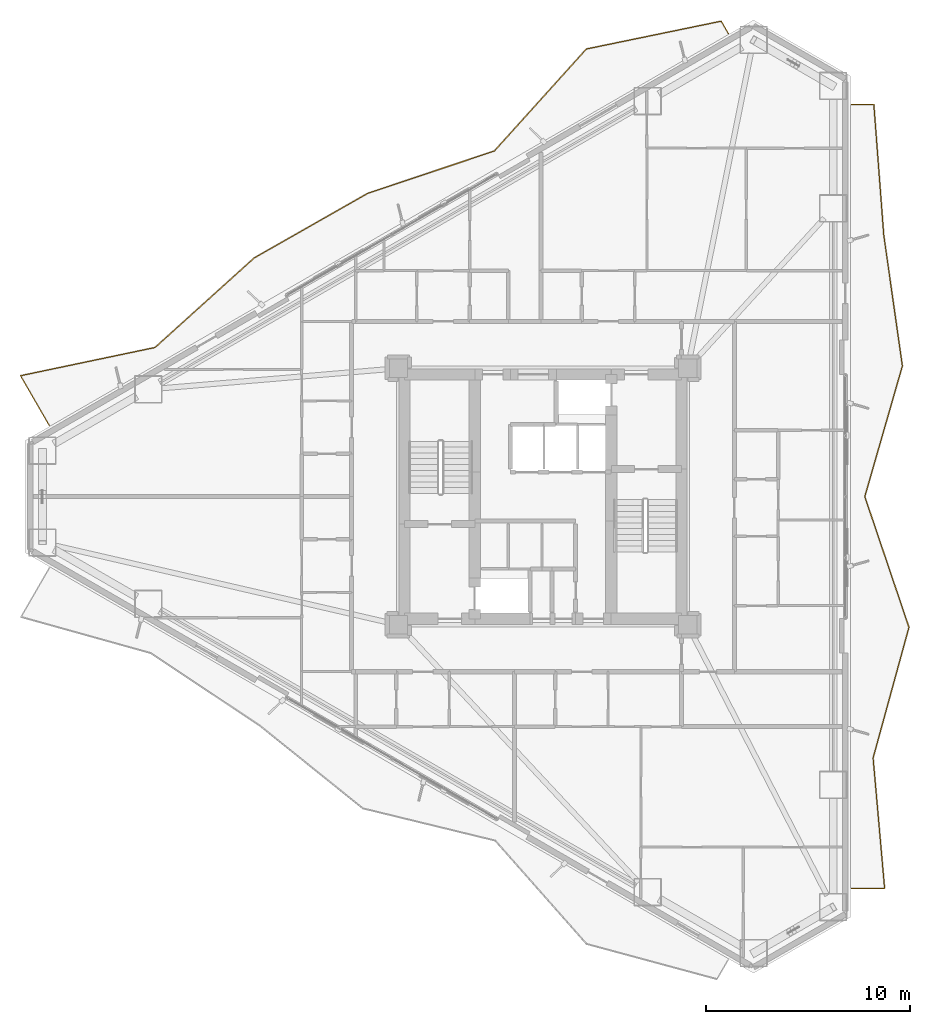
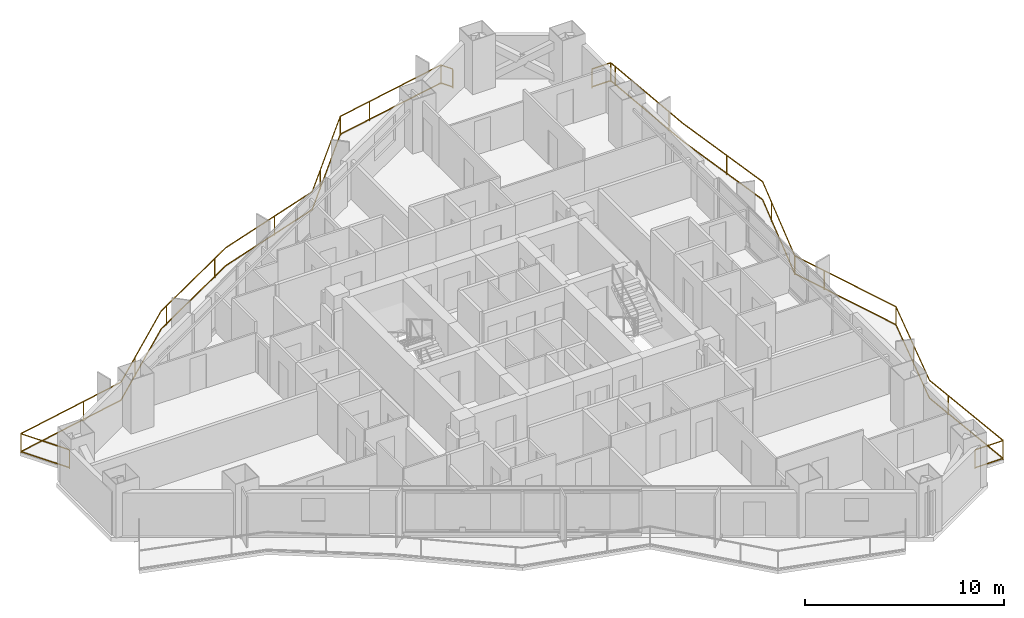
# One storey, part 18 of 18: 2 railings.
"""IFC4 building model written with IfcOpenShell, lengths in metres."""

import ifcopenshell
import ifcopenshell.guid

model = None  # the IFC model being written
_history = None  # IfcOwnerHistory: only IFC2X3 demands one
_inside = {}  # id of a spatial element -> (the spatial element, [elements in it])
_under = {}  # id of a project, library or spatial element -> (it, [spatial elements below it])
_declared = {}  # id of a project -> (the project, [libraries it declares])
_typed = {}  # id of a type object -> (the type object, [elements of that type])
_made_of = {}  # id of a material, layer set ... -> (it, [elements and type objects made of it])


def new_model(schema):
    """Start an empty IFC model of exactly this schema.

    Asked for "IFC4X3", IfcOpenShell would pick the latest addendum, in which some entities
    have other attributes; the version numbers below select the first issue.
    IFC2X3 requires an IfcOwnerHistory on every rooted entity: one is made here for all.
    """
    global model, _history
    if schema == "IFC4X3":
        model = ifcopenshell.file(schema_version=(4, 3, 0, 0))
    else:
        model = ifcopenshell.file(schema=schema)
    _inside.clear()
    _under.clear()
    _declared.clear()
    _typed.clear()
    _made_of.clear()
    _history = None
    if model.schema == "IFC2X3":
        org = make("IfcOrganization", Name="unknown")
        user = make(
            "IfcPersonAndOrganization",
            ThePerson=make("IfcPerson", FamilyName="unknown"),
            TheOrganization=org,
        )
        app = make(
            "IfcApplication",
            ApplicationDeveloper=org,
            Version="unknown",
            ApplicationFullName="unknown",
            ApplicationIdentifier="unknown",
        )
        _history = make(
            "IfcOwnerHistory",
            OwningUser=user,
            OwningApplication=app,
            ChangeAction="ADDED",
            CreationDate=0,
        )
    return model


def make(cls, **values):
    """One entity of the class cls with the attributes given. An attribute that is None is left unset."""
    return model.create_entity(
        cls, **{name: value for name, value in values.items() if value is not None}
    )


def rooted(cls, **values):
    """An entity with a GlobalId (a new one), such as an element, a storey or a relation."""
    return make(cls, GlobalId=ifcopenshell.guid.new(), OwnerHistory=_history, **values)


def si_unit(unit_type, name, prefix=None):
    """IfcSIUnit, for example si_unit("LENGTHUNIT", "METRE", prefix="MILLI")."""
    return make("IfcSIUnit", UnitType=unit_type, Prefix=prefix, Name=name)


def assignment(units):
    """IfcUnitAssignment: the units of a project."""
    return None if units is None else make("IfcUnitAssignment", Units=units)


def point(xyz):
    """IfcCartesianPoint."""
    return None if xyz is None else make("IfcCartesianPoint", Coordinates=xyz)


def direction(xyz):
    """IfcDirection."""
    return None if xyz is None else make("IfcDirection", DirectionRatios=xyz)


def frame(location, z_axis=None, x_axis=None):
    """IfcAxis2Placement3D, a coordinate frame: its origin and axes. An axis left out is left unset."""
    return make(
        "IfcAxis2Placement3D",
        Location=point(location),
        Axis=direction(z_axis),
        RefDirection=direction(x_axis),
    )


def frame_2d(location, x_axis=None):
    """IfcAxis2Placement2D, a coordinate frame in the plane: its origin and x axis."""
    return make(
        "IfcAxis2Placement2D", Location=point(location), RefDirection=direction(x_axis)
    )


def origin():
    """The frame at (0, 0, 0) with its axes left unset."""
    return frame((0.0, 0.0, 0.0))


def origin_2d():
    """The frame at (0, 0) in the plane with its x axis left unset."""
    return frame_2d((0.0, 0.0))


def place(relative_to, where):
    """IfcLocalPlacement: puts the frame where relative to a parent placement (None: the world)."""
    return make(
        "IfcLocalPlacement", PlacementRelTo=relative_to, RelativePlacement=where
    )


def context(
    kind, dimensions, precision=None, world=None, true_north=None, identifier=None
):
    """IfcGeometricRepresentationContext, for example the 3D "Model" context."""
    return make(
        "IfcGeometricRepresentationContext",
        ContextIdentifier=identifier,
        ContextType=kind,
        CoordinateSpaceDimension=dimensions,
        Precision=precision,
        WorldCoordinateSystem=world,
        TrueNorth=true_north,
    )


def subcontext(parent, identifier, kind, view, scale=None):
    """IfcGeometricRepresentationSubContext, for example "Body" below "Model"."""
    return make(
        "IfcGeometricRepresentationSubContext",
        ContextIdentifier=identifier,
        ContextType=kind,
        ParentContext=parent,
        TargetScale=scale,
        TargetView=view,
    )


def project(units=None, contexts=None):
    """IfcProject with its units and contexts."""
    return rooted(
        "IfcProject",
        Name="project",
        RepresentationContexts=contexts,
        UnitsInContext=assignment(units),
    )


def spatial(cls, under=None, at=None, **own):
    """A site, building, storey or space (cls), placed at a placement, below another one or the project."""
    s = rooted(cls, ObjectPlacement=at, **own)
    if under is not None:
        _under.setdefault(under.id(), (under, []))[1].append(s)
    return s


def profile(cls, at=None, kind="AREA", **sizes):
    """A parametric profile (cls). Its sizes go by their IFC names, for example OverallWidth=200.0."""
    return make(cls, ProfileType=kind, Position=at, **sizes)


def rectangle(**sizes):
    """IfcRectangleProfileDef."""
    return profile("IfcRectangleProfileDef", **sizes)


def extrude(swept, where, along, depth):
    """IfcExtrudedAreaSolid: the profile swept, set in the frame where, extruded along a direction by depth."""
    return make(
        "IfcExtrudedAreaSolid",
        SweptArea=swept,
        Position=where,
        ExtrudedDirection=direction(along),
        Depth=depth,
    )


def shape(context_of_items, identifier, shape_type, items):
    """IfcShapeRepresentation: the items that make up one representation, for example the "Body"."""
    return make(
        "IfcShapeRepresentation",
        ContextOfItems=context_of_items,
        RepresentationIdentifier=identifier,
        RepresentationType=shape_type,
        Items=items,
    )


def material(Name=None, Category=None):
    """IfcMaterial."""
    return make("IfcMaterial", Name=Name, Category=Category)


def made_of(thing, what):
    """Note that an element or type object is made of a material, layer set ...; save() writes the relation."""
    if what is not None:
        _made_of.setdefault(what.id(), (what, []))[1].append(thing)
    return thing


def type_object(cls, material=None, **own):
    """A type object (cls), such as IfcWallType, which elements share."""
    return made_of(rooted(cls, **own), material)


def element(
    cls,
    number,
    at=None,
    inside=None,
    cuts=None,
    type_object=None,
    material=None,
    context=None,
    identifier="Body",
    shape_type=None,
    held_by="IfcProductDefinitionShape",
    body=None,
    shapes=None,
    **own,
):
    """One element of the class cls, such as IfcWall. Its Tag is "e" and its number.

    at: its placement. inside: the storey or other place that contains it. cuts: it is an
    opening in that element (IfcRelVoidsElement). A single representation is given by context,
    identifier, shape_type and body (its items); several are given by shapes. held_by: the class
    of the entity that holds the representations. save() writes the other relations.
    """
    e = rooted(cls, Tag="e%d" % number, ObjectPlacement=at, **own)
    if body is not None:
        shapes = [shape(context, identifier, shape_type, body)]
    if shapes is not None:
        e.Representation = make(held_by, Representations=shapes)
    if inside is not None:
        _inside.setdefault(inside.id(), (inside, []))[1].append(e)
    if cuts is not None:
        rooted(
            "IfcRelVoidsElement", RelatingBuildingElement=cuts, RelatedOpeningElement=e
        )
    if type_object is not None:
        _typed.setdefault(type_object.id(), (type_object, []))[1].append(e)
    return made_of(e, material)


def aggregate(whole, parts):
    """IfcRelAggregates: a whole, such as a stair, and the parts it consists of."""
    return rooted("IfcRelAggregates", RelatingObject=whole, RelatedObjects=parts)


def save(model, path):
    """Write the relations noted so far, then the file.

    IfcRelAggregates (storeys below a building ...), IfcRelContainedInSpatialStructure (elements
    in a storey), IfcRelDefinesByType, IfcRelAssociatesMaterial and IfcRelDeclares: one each for
    every whole, place, type object, material and project.
    """
    for whole, parts in _under.values():
        aggregate(whole, parts)
    for where, things in _inside.values():
        rooted(
            "IfcRelContainedInSpatialStructure",
            RelatedElements=things,
            RelatingStructure=where,
        )
    for kind, things in _typed.values():
        rooted("IfcRelDefinesByType", RelatedObjects=things, RelatingType=kind)
    for what, things in _made_of.values():
        rooted("IfcRelAssociatesMaterial", RelatedObjects=things, RelatingMaterial=what)
    for by, libraries in _declared.values():
        rooted("IfcRelDeclares", RelatingContext=by, RelatedDefinitions=libraries)
    model.write(path)


model = new_model("IFC4")

# Units and contexts
model_context = context("Model", 3, precision=1e-05, world=origin(), true_north=direction((0.0, 1.0)))
body_context = subcontext(model_context, "Body", "Model", "MODEL_VIEW")
ifc_project = project(units=[si_unit("LENGTHUNIT", "METRE"), si_unit("AREAUNIT", "SQUARE_METRE"), si_unit("VOLUMEUNIT", "CUBIC_METRE"), si_unit("PLANEANGLEUNIT", "RADIAN"), si_unit("MASSUNIT", "GRAM", prefix="KILO")], contexts=[model_context])

# Site, building, storey
site_placement = place(None, origin())
site = spatial("IfcSite", under=ifc_project, at=site_placement, CompositionType="ELEMENT")
building_placement = place(site_placement, origin())
building = spatial("IfcBuilding", under=site, at=building_placement, Name="Mersakhor Tower and Convention Hall", CompositionType="ELEMENT")
storey_placement = place(building_placement, frame((0.0, 0.0, 39.0)))
storey = spatial("IfcBuildingStorey", under=building, at=storey_placement, Name="L10", CompositionType="ELEMENT", Elevation=39.0)

# Railings
ifc_material = material(Name="Powder-coated galvanised steel and laminated glass balustrade", Category="steel")
railing_type = type_object("IfcRailingType", Name="RL-BAL-1200", PredefinedType="BALUSTRADE", material=ifc_material)
railing_1_placement = place(storey_placement, frame((38.099609375, 49.497314453125, 0.0)))
element("IfcRailing", 1, at=railing_1_placement, inside=storey, type_object=railing_type, Name="L10 Sinusoidal Balcony Balustrade F1", PredefinedType="BALUSTRADE", context=body_context, shape_type="SweptSolid", body=[
    extrude(rectangle(XDim=0.048095703125, YDim=0.048095703125, at=origin_2d()), frame((0.0, 0.0, 1.17578125), z_axis=(-0.50004828531, 0.865997524453, 0.0), x_axis=(-0.865997524453, -0.50004828531, 0.0)), (0.0, 0.0, 1.0), 0.69189453125),
    extrude(rectangle(XDim=0.048095703125, YDim=0.048095703125, at=origin_2d()), frame((0.0, 0.0, 0.080078125), z_axis=(-0.50004828531, 0.865997524453, 0.0), x_axis=(-0.865997524453, -0.50004828531, 0.0)), (0.0, 0.0, 1.0), 0.69189453125),
    extrude(rectangle(XDim=0.048095703125, YDim=0.048095703125, at=origin_2d()), frame((-0.345947265625, 0.59912109375, 1.17578125), z_axis=(-0.979382516671, -0.202014568877, 0.0), x_axis=(0.202014568877, -0.979382516671, 0.0)), (0.0, 0.0, 1.0), 6.76171875),
    extrude(rectangle(XDim=0.048095703125, YDim=0.048095703125, at=origin_2d()), frame((-0.345947265625, 0.59912109375, 0.080078125), z_axis=(-0.979382516671, -0.202014568877, 0.0), x_axis=(0.202014568877, -0.979382516671, 0.0)), (0.0, 0.0, 1.0), 6.76171875),
    extrude(rectangle(XDim=0.048095703125, YDim=0.048095703125, at=origin_2d()), frame((-6.96826171875, -0.766845703125, 1.17578125), z_axis=(-0.669857975839, -0.742489253932, 0.0), x_axis=(0.742489253932, -0.669857975839, 0.0)), (0.0, 0.0, 1.0), 6.746337890625),
    extrude(rectangle(XDim=0.048095703125, YDim=0.048095703125, at=origin_2d()), frame((-6.96826171875, -0.766845703125, 0.080078125), z_axis=(-0.669857975839, -0.742489253932, 0.0), x_axis=(0.742489253932, -0.669857975839, 0.0)), (0.0, 0.0, 1.0), 6.746337890625),
    extrude(rectangle(XDim=0.048095703125, YDim=0.048095703125, at=origin_2d()), frame((-11.4873046875, -5.77587890625, 1.17578125), z_axis=(-0.948418315215, -0.317021607094, 0.0), x_axis=(0.317021607094, -0.948418315215, 0.0)), (0.0, 0.0, 1.0), 6.5498046875),
    extrude(rectangle(XDim=0.048095703125, YDim=0.048095703125, at=origin_2d()), frame((-11.4873046875, -5.77587890625, 0.080078125), z_axis=(-0.948418315215, -0.317021607094, 0.0), x_axis=(0.317021607094, -0.948418315215, 0.0)), (0.0, 0.0, 1.0), 6.5498046875),
    extrude(rectangle(XDim=0.048095703125, YDim=0.048095703125, at=origin_2d()), frame((-17.69921875, -7.852294921875, 1.17578125), z_axis=(-0.869194275354, -0.494470738964, 0.0), x_axis=(0.494470738964, -0.869194275354, 0.0)), (0.0, 0.0, 1.0), 6.418212890625),
    extrude(rectangle(XDim=0.048095703125, YDim=0.048095703125, at=origin_2d()), frame((-17.69921875, -7.852294921875, 0.080078125), z_axis=(-0.869194275354, -0.494470738964, 0.0), x_axis=(0.494470738964, -0.869194275354, 0.0)), (0.0, 0.0, 1.0), 6.418212890625),
    extrude(rectangle(XDim=0.048095703125, YDim=0.048095703125, at=origin_2d()), frame((-23.27783203125, -11.02587890625, 1.17578125), z_axis=(-0.742161132461, -0.670221495824, 0.0), x_axis=(0.670221495824, -0.742161132461, 0.0)), (0.0, 0.0, 1.0), 6.5634765625),
    extrude(rectangle(XDim=0.048095703125, YDim=0.048095703125, at=origin_2d()), frame((-23.27783203125, -11.02587890625, 0.080078125), z_axis=(-0.742161132461, -0.670221495824, 0.0), x_axis=(0.670221495824, -0.742161132461, 0.0)), (0.0, 0.0, 1.0), 6.5634765625),
    extrude(rectangle(XDim=0.048095703125, YDim=0.048095703125, at=origin_2d()), frame((-28.14892578125, -15.4248046875, 1.17578125), z_axis=(-0.978688016764, -0.205352783868, 0.0), x_axis=(0.205352783868, -0.978688016764, 0.0)), (0.0, 0.0, 1.0), 6.754150390625),
    extrude(rectangle(XDim=0.048095703125, YDim=0.048095703125, at=origin_2d()), frame((-28.14892578125, -15.4248046875, 0.080078125), z_axis=(-0.978688016764, -0.205352783868, 0.0), x_axis=(0.205352783868, -0.978688016764, 0.0)), (0.0, 0.0, 1.0), 6.754150390625),
    extrude(rectangle(XDim=0.048095703125, YDim=0.048095703125, at=origin_2d()), frame((-34.759033203125, -16.811767578125, 1.17578125), z_axis=(0.499984757355, -0.866034203951, 0.0), x_axis=(0.866034203951, 0.499984757355, 0.0)), (0.0, 0.0, 1.0), 2.81982421875),
    extrude(rectangle(XDim=0.048095703125, YDim=0.048095703125, at=origin_2d()), frame((-34.759033203125, -16.811767578125, 0.080078125), z_axis=(0.499984757355, -0.866034203951, 0.0), x_axis=(0.866034203951, 0.499984757355, 0.0)), (0.0, 0.0, 1.0), 2.81982421875),
    extrude(rectangle(XDim=0.0419921875, YDim=0.0419921875, at=origin_2d()), origin(), (0.0, 0.0, 1.0), 1.15185546875),
    extrude(rectangle(XDim=0.0419921875, YDim=0.0419921875, at=origin_2d()), frame((-0.345947265625, 0.59912109375, 0.0)), (0.0, 0.0, 1.0), 1.15185546875),
    extrude(rectangle(XDim=0.0419921875, YDim=0.0419921875, at=origin_2d()), frame((-5.046875, -0.37060546875, 0.0)), (0.0, 0.0, 1.0), 1.15185546875),
    extrude(rectangle(XDim=0.0419921875, YDim=0.0419921875, at=origin_2d()), frame((-6.96826171875, -0.766845703125, 0.0)), (0.0, 0.0, 1.0), 1.15185546875),
    extrude(rectangle(XDim=0.0419921875, YDim=0.0419921875, at=origin_2d()), frame((-10.18359375, -4.330810546875, 0.0)), (0.0, 0.0, 1.0), 1.15185546875),
    extrude(rectangle(XDim=0.0419921875, YDim=0.0419921875, at=origin_2d()), frame((-14.19384765625, -6.6806640625, 0.0)), (0.0, 0.0, 1.0), 1.15185546875),
    extrude(rectangle(XDim=0.0419921875, YDim=0.0419921875, at=origin_2d()), frame((-18.65869140625, -8.398193359375, 0.0)), (0.0, 0.0, 1.0), 1.15185546875),
    extrude(rectangle(XDim=0.0419921875, YDim=0.0419921875, at=origin_2d()), frame((-22.830810546875, -10.771728515625, 0.0)), (0.0, 0.0, 1.0), 1.15185546875),
    extrude(rectangle(XDim=0.0419921875, YDim=0.0419921875, at=origin_2d()), frame((-26.45849609375, -13.8984375, 0.0)), (0.0, 0.0, 1.0), 1.15185546875),
    extrude(rectangle(XDim=0.0419921875, YDim=0.0419921875, at=origin_2d()), frame((-30.61767578125, -15.94287109375, 0.0)), (0.0, 0.0, 1.0), 1.15185546875),
    extrude(rectangle(XDim=0.0419921875, YDim=0.0419921875, at=origin_2d()), frame((-34.759033203125, -16.811767578125, 0.0)), (0.0, 0.0, 1.0), 1.15185546875),
    extrude(rectangle(XDim=0.0419921875, YDim=0.0419921875, at=origin_2d()), frame((-33.34912109375, -19.25390625, 0.0)), (0.0, 0.0, 1.0), 1.15185546875),
])
railing_2_placement = place(storey_placement, frame((44.14990234375, 7.49609375, 0.0)))
element("IfcRailing", 2, at=railing_2_placement, inside=storey, type_object=railing_type, Name="L10 Sinusoidal Balcony Balustrade F2", PredefinedType="BALUSTRADE", context=body_context, shape_type="SweptSolid", body=[
    extrude(rectangle(XDim=0.048095703125, YDim=0.048095703125, at=origin_2d()), frame((0.0, 0.0, 1.17578125), z_axis=(1.0, 0.0, 0.0), x_axis=(0.0, 1.0, 0.0)), (0.0, 0.0, 1.0), 1.624755859375),
    extrude(rectangle(XDim=0.048095703125, YDim=0.048095703125, at=origin_2d()), frame((0.0, 0.0, 0.080078125), z_axis=(1.0, 0.0, 0.0), x_axis=(0.0, 1.0, 0.0)), (0.0, 0.0, 1.0), 1.624755859375),
    extrude(rectangle(XDim=0.048095703125, YDim=0.048095703125, at=origin_2d()), frame((1.624755859375, 0.0, 1.17578125), z_axis=(-0.087873904248, 0.996131606241, 0.0), x_axis=(-0.996131606241, -0.087873904248, 0.0)), (0.0, 0.0, 1.0), 6.44287109375),
    extrude(rectangle(XDim=0.048095703125, YDim=0.048095703125, at=origin_2d()), frame((1.624755859375, 0.0, 0.080078125), z_axis=(-0.087873904248, 0.996131606241, 0.0), x_axis=(-0.996131606241, -0.087873904248, 0.0)), (0.0, 0.0, 1.0), 6.44287109375),
    extrude(rectangle(XDim=0.048095703125, YDim=0.048095703125, at=origin_2d()), frame((1.05859375, 6.41796875, 1.17578125), z_axis=(0.264535702986, 0.964375892402, 0.0), x_axis=(-0.964375892402, 0.264535702986, 0.0)), (0.0, 0.0, 1.0), 6.655029296875),
    extrude(rectangle(XDim=0.048095703125, YDim=0.048095703125, at=origin_2d()), frame((1.05859375, 6.41796875, 0.080078125), z_axis=(0.264535702986, 0.964375892402, 0.0), x_axis=(-0.964375892402, 0.264535702986, 0.0)), (0.0, 0.0, 1.0), 6.655029296875),
    extrude(rectangle(XDim=0.048095703125, YDim=0.048095703125, at=origin_2d()), frame((2.819091796875, 12.8359375, 1.17578125), z_axis=(-0.320160379943, 0.94736335749, 0.0), x_axis=(-0.94736335749, -0.320160379943, 0.0)), (0.0, 0.0, 1.0), 6.774658203125),
    extrude(rectangle(XDim=0.048095703125, YDim=0.048095703125, at=origin_2d()), frame((2.819091796875, 12.8359375, 0.080078125), z_axis=(-0.320160379943, 0.94736335749, 0.0), x_axis=(-0.94736335749, -0.320160379943, 0.0)), (0.0, 0.0, 1.0), 6.774658203125),
    extrude(rectangle(XDim=0.048095703125, YDim=0.048095703125, at=origin_2d()), frame((0.650146484375, 19.25390625, 1.17578125), z_axis=(0.27655052864, 0.960999378308, 0.0), x_axis=(-0.960999378308, 0.27655052864, 0.0)), (0.0, 0.0, 1.0), 6.678466796875),
    extrude(rectangle(XDim=0.048095703125, YDim=0.048095703125, at=origin_2d()), frame((0.650146484375, 19.25390625, 0.080078125), z_axis=(0.27655052864, 0.960999378308, 0.0), x_axis=(-0.960999378308, 0.27655052864, 0.0)), (0.0, 0.0, 1.0), 6.678466796875),
    extrude(rectangle(XDim=0.048095703125, YDim=0.048095703125, at=origin_2d()), frame((2.4970703125, 25.671875, 1.17578125), z_axis=(-0.141147190849, 0.989988621407, 0.0), x_axis=(-0.989988621407, -0.141147190849, 0.0)), (0.0, 0.0, 1.0), 6.48291015625),
    extrude(rectangle(XDim=0.048095703125, YDim=0.048095703125, at=origin_2d()), frame((2.4970703125, 25.671875, 0.080078125), z_axis=(-0.141147190849, 0.989988621407, 0.0), x_axis=(-0.989988621407, -0.141147190849, 0.0)), (0.0, 0.0, 1.0), 6.48291015625),
    extrude(rectangle(XDim=0.048095703125, YDim=0.048095703125, at=origin_2d()), frame((1.58203125, 32.08984375, 1.17578125), z_axis=(-0.075634827847, 0.997135583969, 0.0), x_axis=(-0.997135583969, -0.075634827847, 0.0)), (0.0, 0.0, 1.0), 6.4365234375),
    extrude(rectangle(XDim=0.048095703125, YDim=0.048095703125, at=origin_2d()), frame((1.58203125, 32.08984375, 0.080078125), z_axis=(-0.075634827847, 0.997135583969, 0.0), x_axis=(-0.997135583969, -0.075634827847, 0.0)), (0.0, 0.0, 1.0), 6.4365234375),
    extrude(rectangle(XDim=0.048095703125, YDim=0.048095703125, at=origin_2d()), frame((1.09521484375, 38.5078125, 1.17578125), z_axis=(-1.0, 0.0, 0.0), x_axis=(0.0, -1.0, 0.0)), (0.0, 0.0, 1.0), 1.09521484375),
    extrude(rectangle(XDim=0.048095703125, YDim=0.048095703125, at=origin_2d()), frame((1.09521484375, 38.5078125, 0.080078125), z_axis=(-1.0, 0.0, 0.0), x_axis=(0.0, -1.0, 0.0)), (0.0, 0.0, 1.0), 1.09521484375),
    extrude(rectangle(XDim=0.0419921875, YDim=0.0419921875, at=origin_2d()), origin(), (0.0, 0.0, 1.0), 1.15185546875),
    extrude(rectangle(XDim=0.0419921875, YDim=0.0419921875, at=origin_2d()), frame((1.624755859375, 0.0, 0.0)), (0.0, 0.0, 1.0), 1.15185546875),
    extrude(rectangle(XDim=0.0419921875, YDim=0.0419921875, at=origin_2d()), frame((1.202880859375, 4.781494140625, 0.0)), (0.0, 0.0, 1.0), 1.15185546875),
    extrude(rectangle(XDim=0.0419921875, YDim=0.0419921875, at=origin_2d()), frame((1.893798828125, 9.462646484375, 0.0)), (0.0, 0.0, 1.0), 1.15185546875),
    extrude(rectangle(XDim=0.0419921875, YDim=0.0419921875, at=origin_2d()), frame((2.819091796875, 12.8359375, 0.0)), (0.0, 0.0, 1.0), 1.15185546875),
    extrude(rectangle(XDim=0.0419921875, YDim=0.0419921875, at=origin_2d()), frame((1.2822265625, 17.38330078125, 0.0)), (0.0, 0.0, 1.0), 1.15185546875),
    extrude(rectangle(XDim=0.0419921875, YDim=0.0419921875, at=origin_2d()), frame((0.650146484375, 19.25390625, 0.0)), (0.0, 0.0, 1.0), 1.15185546875),
    extrude(rectangle(XDim=0.0419921875, YDim=0.0419921875, at=origin_2d()), frame((1.9775390625, 23.86669921875, 0.0)), (0.0, 0.0, 1.0), 1.15185546875),
    extrude(rectangle(XDim=0.0419921875, YDim=0.0419921875, at=origin_2d()), frame((2.084716796875, 28.564208984375, 0.0)), (0.0, 0.0, 1.0), 1.15185546875),
    extrude(rectangle(XDim=0.0419921875, YDim=0.0419921875, at=origin_2d()), frame((1.48828125, 33.324951171875, 0.0)), (0.0, 0.0, 1.0), 1.15185546875),
    extrude(rectangle(XDim=0.0419921875, YDim=0.0419921875, at=origin_2d()), frame((1.125244140625, 38.111328125, 0.0)), (0.0, 0.0, 1.0), 1.15185546875),
    extrude(rectangle(XDim=0.0419921875, YDim=0.0419921875, at=origin_2d()), frame((1.09521484375, 38.5078125, 0.0)), (0.0, 0.0, 1.0), 1.15185546875),
    extrude(rectangle(XDim=0.0419921875, YDim=0.0419921875, at=origin_2d()), frame((0.0, 38.5078125, 0.0)), (0.0, 0.0, 1.0), 1.15185546875),
])

save(model, "model.ifc")
